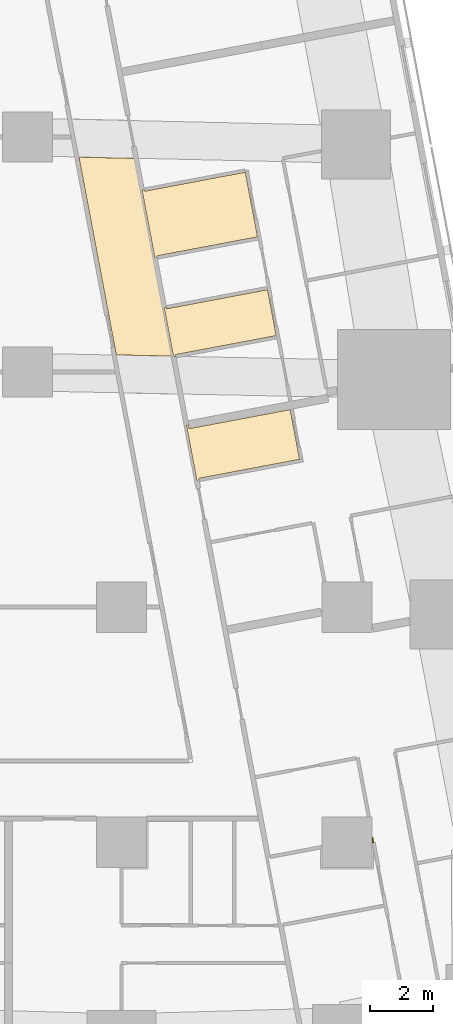
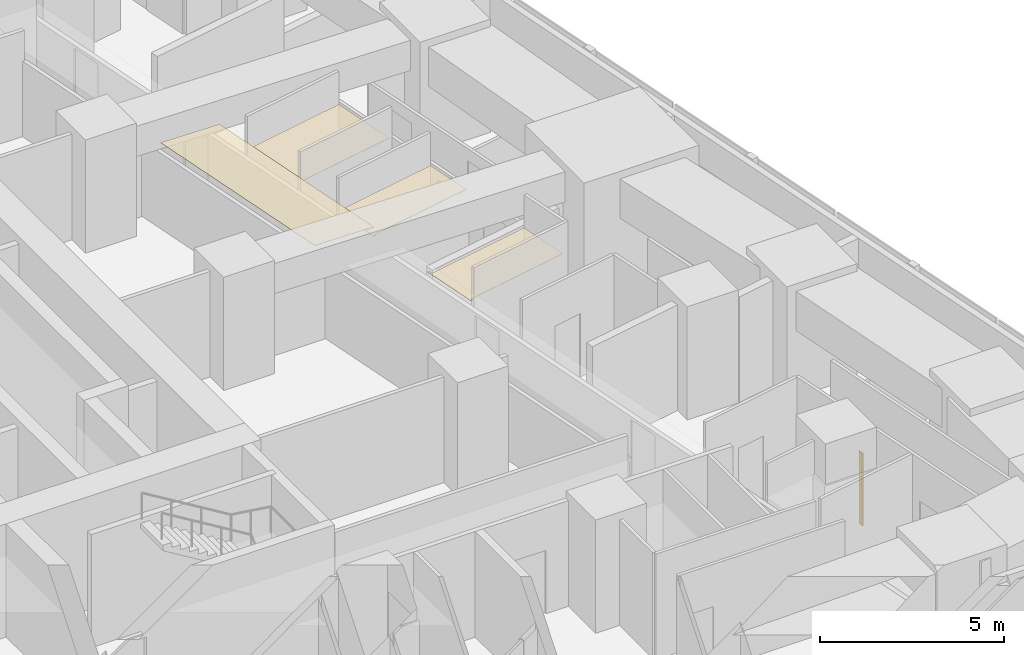
# One storey, part 14 of 15: 5 coverings.
"""IFC4 building model written with IfcOpenShell, lengths in metres."""

from ifc_helpers import new_model, si_unit, direction, frame, origin, place, context, subcontext, project, spatial, polyline, outline, extrude, material, layer, layer_set, type_object, element, save


model = new_model("IFC4")

# Units and contexts
model_context = context("Model", 3, precision=1e-05, world=origin(), true_north=direction((0.0, 1.0)))
body_context = subcontext(model_context, "Body", "Model", "MODEL_VIEW")
ifc_project = project(units=[si_unit("LENGTHUNIT", "METRE"), si_unit("AREAUNIT", "SQUARE_METRE"), si_unit("VOLUMEUNIT", "CUBIC_METRE"), si_unit("PLANEANGLEUNIT", "RADIAN"), si_unit("MASSUNIT", "GRAM", prefix="KILO")], contexts=[model_context])

# Site, building, storey
site_placement = place(None, origin())
site = spatial("IfcSite", under=ifc_project, at=site_placement, CompositionType="ELEMENT")
building_placement = place(site_placement, origin())
building = spatial("IfcBuilding", under=site, at=building_placement, Name="Sheger Commons Tower", CompositionType="ELEMENT")
storey_placement = place(building_placement, frame((0.0, 0.0, 100.39990234375)))
storey = spatial("IfcBuildingStorey", under=building, at=storey_placement, Name="L25", CompositionType="ELEMENT", Elevation=100.39990234375)

# Coverings
ifc_material_1 = material(Name="Moisture-resistant gypsum plasterboard 15 mm on a suspended galvanised steel grid", Category="steel")
ifc_layer_1 = layer(ifc_material_1, 0.014892578125)
ifc_layer_set_1 = layer_set([ifc_layer_1], Name="MOISTURE-RESISTANT CEILING 15")
covering_type_1 = type_object("IfcCoveringType", Name="MOISTURE-RESISTANT CEILING 15", PredefinedType="CEILING", material=ifc_layer_set_1)
covering_1_placement = place(storey_placement, frame((0.0, 0.0, 2.400146484375)))
element("IfcCovering", 1, at=covering_1_placement, inside=storey, type_object=covering_type_1, Name="L25-09.B1 ceiling", PredefinedType="CEILING", context=body_context, shape_type="SweptSolid", body=[
    extrude(outline(polyline([(37.06689453125, 26.138916015625), (37.135986328125, 26.152099609375), (37.1259765625, 26.2060546875), (40.343017578125, 26.81396484375), (39.952880859375, 28.8779296875), (36.736083984375, 28.26904296875), (36.72607421875, 28.322998046875), (36.656982421875, 28.31005859375), (37.06689453125, 26.138916015625)])), origin(), (0.0, 0.0, 1.0), 0.014892578125),
])
covering_2_placement = place(storey_placement, frame((0.0, 0.0, 2.400146484375)))
element("IfcCovering", 2, at=covering_2_placement, inside=storey, type_object=covering_type_1, Name="L25-09.B2 ceiling", PredefinedType="CEILING", context=body_context, shape_type="SweptSolid", body=[
    extrude(outline(polyline([(37.662109375, 22.989013671875), (37.73095703125, 23.001953125), (37.720947265625, 23.055908203125), (40.93896484375, 23.6630859375), (40.662109375, 25.1279296875), (37.444091796875, 24.52001953125), (37.43408203125, 24.573974609375), (37.364990234375, 24.56103515625), (37.662109375, 22.989013671875)])), origin(), (0.0, 0.0, 1.0), 0.014892578125),
])
covering_3_placement = place(storey_placement, frame((0.0, 0.0, 2.400146484375)))
element("IfcCovering", 3, at=covering_3_placement, inside=storey, type_object=covering_type_1, Name="L25-10.B1 ceiling", PredefinedType="CEILING", context=body_context, shape_type="SweptSolid", body=[
    extrude(outline(polyline([(38.406982421875, 19.0419921875), (38.47607421875, 19.054931640625), (38.466064453125, 19.10888671875), (41.68408203125, 19.716064453125), (41.384033203125, 21.303955078125), (38.166015625, 20.696044921875), (38.14208984375, 20.823974609375), (38.072998046875, 20.81103515625), (38.406982421875, 19.0419921875)])), origin(), (0.0, 0.0, 1.0), 0.014892578125),
])
ifc_material_2 = material(Name="Gypsum plasterboard 15 mm on a suspended steel grid", Category="steel")
ifc_layer_2 = layer(ifc_material_2, 0.014892578125)
ifc_layer_set_2 = layer_set([ifc_layer_2], Name="SUSPENDED CEILING 15")
covering_type_2 = type_object("IfcCoveringType", Name="SUSPENDED CEILING 15", PredefinedType="CEILING", material=ifc_layer_set_2)
covering_4_placement = place(storey_placement, frame((0.0, 0.0, 2.7001953125)))
element("IfcCovering", 4, at=covering_4_placement, inside=storey, type_object=covering_type_2, Name="L25-CO ceiling", PredefinedType="CEILING", context=body_context, shape_type="SweptSolid", body=[
    extrude(outline(polyline([(37.657958984375, 23.010986328125), (36.466064453125, 29.31591796875), (34.64501953125, 29.35791015625), (35.8369140625, 23.048095703125), (37.657958984375, 23.010986328125)])), origin(), (0.0, 0.0, 1.0), 0.014892578125),
])
ifc_material_3 = material(Name="Moisture-resistant gypsum board 12.5 mm on 25 mm treated timber battens, tanked and tiled", Category="wood")
ifc_layer_3 = layer(ifc_material_3, 0.050048828125)
ifc_layer_set_3 = layer_set([ifc_layer_3], Name="WET-ROOM COLUMN LINING")
covering_type_3 = type_object("IfcCoveringType", Name="WET-ROOM COLUMN LINING", PredefinedType="CLADDING", material=ifc_layer_set_3)
covering_5_placement = place(storey_placement, origin())
element("IfcCovering", 5, at=covering_5_placement, inside=storey, type_object=covering_type_3, Name="Bathroom column lining C9 L25", PredefinedType="CLADDING", context=body_context, shape_type="SweptSolid", body=[
    extrude(outline(polyline([(44.0, 7.652099609375), (44.01806640625, 7.655029296875), (44.049072265625, 7.489990234375), (44.0, 7.48095703125), (44.0, 7.652099609375)])), origin(), (0.0, 0.0, 1.0), 2.400146484375),
])

save(model, "model.ifc")
